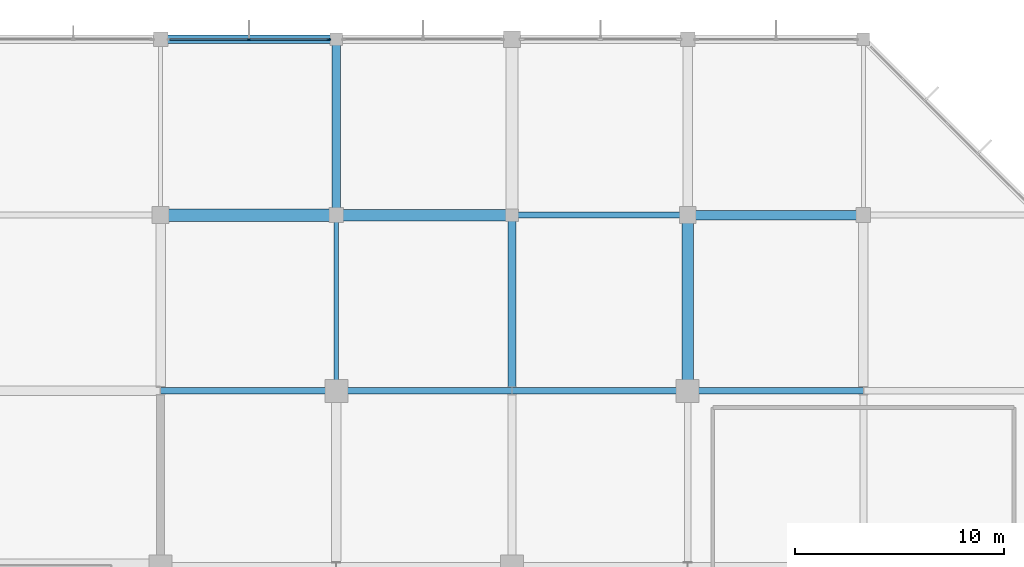
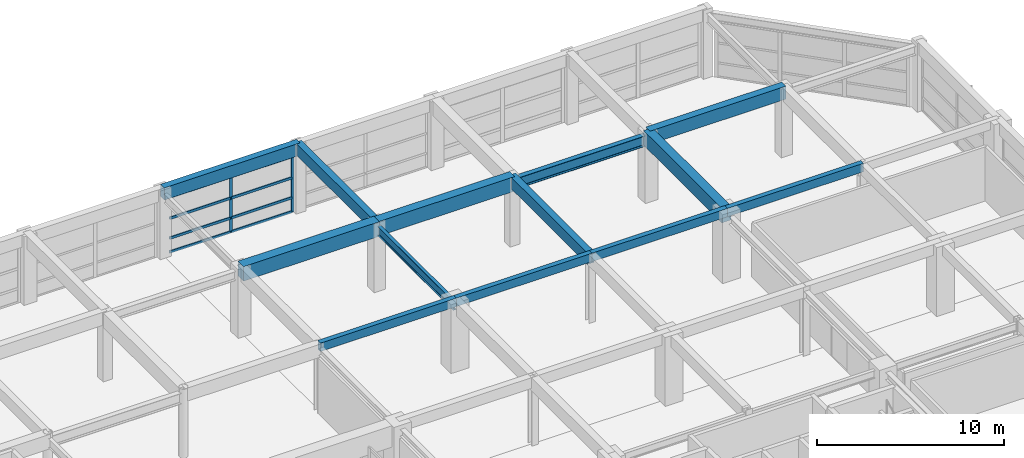
# One storey, part 39 of 62: 13 beams, 10 members, 1 element without a shape of its own.
"""IFC4 building model written with IfcOpenShell, lengths in metres."""

from ifc_helpers import new_model, si_unit, direction, frame, origin, origin_2d, place, context, subcontext, project, spatial, rectangle, i_section, extrude, material, material_profile, profile_set, type_object, element, aggregate, save


model = new_model("IFC4")

# Units and contexts
model_context = context("Model", 3, precision=1e-05, world=origin(), true_north=direction((0.0, 1.0)))
body_context = subcontext(model_context, "Body", "Model", "MODEL_VIEW")
ifc_project = project(units=[si_unit("LENGTHUNIT", "METRE"), si_unit("AREAUNIT", "SQUARE_METRE"), si_unit("VOLUMEUNIT", "CUBIC_METRE"), si_unit("PLANEANGLEUNIT", "RADIAN"), si_unit("MASSUNIT", "GRAM", prefix="KILO")], contexts=[model_context])

# Site, building, storey
site_placement = place(None, origin())
site = spatial("IfcSite", under=ifc_project, at=site_placement, CompositionType="ELEMENT")
building_placement = place(site_placement, origin())
building = spatial("IfcBuilding", under=site, at=building_placement, Name="Xuanlan Plaza Opera House", CompositionType="ELEMENT")
storey_placement = place(building_placement, frame((0.0, 0.0, 14.39990234375)))
storey = spatial("IfcBuildingStorey", under=building, at=storey_placement, Name="L03", CompositionType="ELEMENT", Elevation=14.39990234375)

# Curtain wall, members
ifc_material_1 = material(Name="Anodised Aluminium 6063-T6 and Low-E Glass", Category="aluminium")
curtain_wall_type = type_object("IfcCurtainWallType", Name="ENV-CW-CW-05", PredefinedType="USERDEFINED", material=ifc_material_1)
curtain_wall_placement = place(storey_placement, origin())
curtain_wall = element("IfcCurtainWall", 1, at=curtain_wall_placement, inside=storey, type_object=curtain_wall_type, Name="Acoustic Glazed Wall L03-032", ObjectType="ACOUSTIC GLAZED WALL", PredefinedType="USERDEFINED")
ifc_material_2 = material(Name="Anodised Aluminium 6063-T6", Category="aluminium")
ifc_material_profile_1 = material_profile(ifc_material_2, rectangle(XDim=0.070068359375, YDim=0.179931640625, at=origin_2d()), Name="ALU-M 70x180")
ifc_profile_set_1 = profile_set([ifc_material_profile_1], Name="Anodised Aluminium 6063-T6")
member_type_1 = type_object("IfcMemberType", Name="ENV-CWM-02", PredefinedType="MULLION", material=ifc_profile_set_1)
member_1_placement = place(storey_placement, frame((134.044921875, 100.800048828125, 0.0), z_axis=(0.0, 0.0, 1.0), x_axis=(0.0, -1.0, 0.0)))
member_1 = element("IfcMember", 2, at=member_1_placement, type_object=member_type_1, Name="CW-05 mullion 1", PredefinedType="MULLION", context=body_context, shape_type="SweptSolid", body=[
    extrude(rectangle(XDim=0.070068359375, YDim=0.179931640625, at=origin_2d()), origin(), (0.0, 0.0, 1.0), 3.68017578125),
])
member_2_placement = place(storey_placement, frame((130.22509765625, 100.800048828125, 0.0), z_axis=(0.0, 0.0, 1.0), x_axis=(0.0, -1.0, 0.0)))
member_2 = element("IfcMember", 3, at=member_2_placement, type_object=member_type_1, Name="CW-05 mullion 2", PredefinedType="MULLION", context=body_context, shape_type="SweptSolid", body=[
    extrude(rectangle(XDim=0.070068359375, YDim=0.179931640625, at=origin_2d()), origin(), (0.0, 0.0, 1.0), 3.68017578125),
])
ifc_material_profile_2 = material_profile(ifc_material_2, rectangle(XDim=0.080078125, YDim=0.1650390625, at=origin_2d()), Name="ALU-T 80x165")
ifc_profile_set_2 = profile_set([ifc_material_profile_2], Name="Anodised Aluminium 6063-T6")
member_type_2 = type_object("IfcMemberType", Name="ENV-CWT-04", PredefinedType="USERDEFINED", material=ifc_profile_set_2)
member_3_placement = place(storey_placement, frame((134.010009765625, 100.800048828125, 0.0400390625), z_axis=(-1.0, 0.0, 0.0), x_axis=(0.0, -1.0, 0.0)))
member_3 = element("IfcMember", 4, at=member_3_placement, type_object=member_type_2, Name="CW-05 transom 1.1", ObjectType="TRANSOM", PredefinedType="USERDEFINED", context=body_context, shape_type="SweptSolid", body=[
    extrude(rectangle(XDim=0.080078125, YDim=0.1650390625, at=origin_2d()), origin(), (0.0, 0.0, 1.0), 3.75),
])
member_4_placement = place(storey_placement, frame((134.010009765625, 100.800048828125, 0.9501953125), z_axis=(-1.0, 0.0, 0.0), x_axis=(0.0, -1.0, 0.0)))
member_4 = element("IfcMember", 5, at=member_4_placement, type_object=member_type_2, Name="CW-05 transom 1.2", ObjectType="TRANSOM", PredefinedType="USERDEFINED", context=body_context, shape_type="SweptSolid", body=[
    extrude(rectangle(XDim=0.080078125, YDim=0.1650390625, at=origin_2d()), origin(), (0.0, 0.0, 1.0), 3.75),
])
member_5_placement = place(storey_placement, frame((134.010009765625, 100.800048828125, 2.25), z_axis=(-1.0, 0.0, 0.0), x_axis=(0.0, -1.0, 0.0)))
member_5 = element("IfcMember", 6, at=member_5_placement, type_object=member_type_2, Name="CW-05 transom 1.3", ObjectType="TRANSOM", PredefinedType="USERDEFINED", context=body_context, shape_type="SweptSolid", body=[
    extrude(rectangle(XDim=0.080078125, YDim=0.1650390625, at=origin_2d()), origin(), (0.0, 0.0, 1.0), 3.75),
])
member_6_placement = place(storey_placement, frame((134.010009765625, 100.800048828125, 3.64013671875), z_axis=(-1.0, 0.0, 0.0), x_axis=(0.0, -1.0, 0.0)))
member_6 = element("IfcMember", 7, at=member_6_placement, type_object=member_type_2, Name="CW-05 transom 1.4", ObjectType="TRANSOM", PredefinedType="USERDEFINED", context=body_context, shape_type="SweptSolid", body=[
    extrude(rectangle(XDim=0.080078125, YDim=0.1650390625, at=origin_2d()), origin(), (0.0, 0.0, 1.0), 3.75),
])
member_7_placement = place(storey_placement, frame((130.18994140625, 100.800048828125, 0.0400390625), z_axis=(-1.0, 0.0, 0.0), x_axis=(0.0, -1.0, 0.0)))
member_7 = element("IfcMember", 8, at=member_7_placement, type_object=member_type_2, Name="CW-05 transom 2.1", ObjectType="TRANSOM", PredefinedType="USERDEFINED", context=body_context, shape_type="SweptSolid", body=[
    extrude(rectangle(XDim=0.080078125, YDim=0.1650390625, at=origin_2d()), origin(), (0.0, 0.0, 1.0), 3.75),
])
member_8_placement = place(storey_placement, frame((130.18994140625, 100.800048828125, 0.9501953125), z_axis=(-1.0, 0.0, 0.0), x_axis=(0.0, -1.0, 0.0)))
member_8 = element("IfcMember", 9, at=member_8_placement, type_object=member_type_2, Name="CW-05 transom 2.2", ObjectType="TRANSOM", PredefinedType="USERDEFINED", context=body_context, shape_type="SweptSolid", body=[
    extrude(rectangle(XDim=0.080078125, YDim=0.1650390625, at=origin_2d()), origin(), (0.0, 0.0, 1.0), 3.75),
])
member_9_placement = place(storey_placement, frame((130.18994140625, 100.800048828125, 2.25), z_axis=(-1.0, 0.0, 0.0), x_axis=(0.0, -1.0, 0.0)))
member_9 = element("IfcMember", 10, at=member_9_placement, type_object=member_type_2, Name="CW-05 transom 2.3", ObjectType="TRANSOM", PredefinedType="USERDEFINED", context=body_context, shape_type="SweptSolid", body=[
    extrude(rectangle(XDim=0.080078125, YDim=0.1650390625, at=origin_2d()), origin(), (0.0, 0.0, 1.0), 3.75),
])
member_10_placement = place(storey_placement, frame((130.18994140625, 100.800048828125, 3.64013671875), z_axis=(-1.0, 0.0, 0.0), x_axis=(0.0, -1.0, 0.0)))
member_10 = element("IfcMember", 11, at=member_10_placement, type_object=member_type_2, Name="CW-05 transom 2.4", ObjectType="TRANSOM", PredefinedType="USERDEFINED", context=body_context, shape_type="SweptSolid", body=[
    extrude(rectangle(XDim=0.080078125, YDim=0.1650390625, at=origin_2d()), origin(), (0.0, 0.0, 1.0), 3.75),
])
aggregate(curtain_wall, [member_1, member_2, member_3, member_4, member_5, member_6, member_7, member_8, member_9, member_10])

# Beams
ifc_material_3 = material(Name="Concrete C50", Category="concrete")
ifc_material_profile_3 = material_profile(ifc_material_3, rectangle(XDim=0.60009765625, YDim=0.949951171875, at=origin_2d()), Name="RC-BM 600x950")
ifc_profile_set_3 = profile_set([ifc_material_profile_3], Name="Concrete C50")
beam_type_1 = type_object("IfcBeamType", Name="STR-BM-B-01", PredefinedType="BEAM", material=ifc_profile_set_3)
beam_1_placement = place(storey_placement, frame((126.0, 92.39990234375, 4.025146484375), z_axis=(1.0, 0.0, 0.0), x_axis=(0.0, 1.0, 0.0)))
element("IfcBeam", 12, at=beam_1_placement, inside=storey, type_object=beam_type_1, Name="Grid Beam X L03 16-17/L", PredefinedType="BEAM", context=body_context, shape_type="SweptSolid", body=[
    extrude(rectangle(XDim=0.60009765625, YDim=0.949951171875, at=origin_2d()), origin(), (0.0, 0.0, 1.0), 8.39990234375),
])
ifc_material_profile_4 = material_profile(ifc_material_3, rectangle(XDim=0.550048828125, YDim=0.949951171875, at=origin_2d()), Name="RC-BM 550x950")
ifc_profile_set_4 = profile_set([ifc_material_profile_4], Name="Concrete C50")
beam_type_2 = type_object("IfcBeamType", Name="STR-BM-B-02", PredefinedType="BEAM", material=ifc_profile_set_4)
beam_2_placement = place(storey_placement, frame((134.39990234375, 92.39990234375, 4.025146484375), z_axis=(1.0, 0.0, 0.0), x_axis=(0.0, 1.0, 0.0)))
element("IfcBeam", 13, at=beam_2_placement, inside=storey, type_object=beam_type_2, Name="Grid Beam X L03 17-18/L", PredefinedType="BEAM", context=body_context, shape_type="SweptSolid", body=[
    extrude(rectangle(XDim=0.550048828125, YDim=0.949951171875, at=origin_2d()), origin(), (0.0, 0.0, 1.0), 8.400146484375),
])
beam_3_placement = place(storey_placement, frame((151.199951171875, 84.0, 4.025146484375), z_axis=(0.0, 1.0, 0.0), x_axis=(-1.0, 0.0, 0.0)))
element("IfcBeam", 14, at=beam_3_placement, inside=storey, type_object=beam_type_2, Name="Grid Beam Y L03 19/K-L", PredefinedType="BEAM", context=body_context, shape_type="SweptSolid", body=[
    extrude(rectangle(XDim=0.550048828125, YDim=0.949951171875, at=origin_2d()), origin(), (0.0, 0.0, 1.0), 8.39990234375),
])
ifc_material_4 = material(Name="Concrete C40", Category="concrete")
ifc_material_profile_5 = material_profile(ifc_material_4, rectangle(XDim=0.449951171875, YDim=0.85009765625, at=origin_2d()), Name="RC-BM 450x850")
ifc_profile_set_5 = profile_set([ifc_material_profile_5], Name="Concrete C40")
beam_type_3 = type_object("IfcBeamType", Name="STR-BM-B-04", PredefinedType="BEAM", material=ifc_profile_set_5)
beam_4_placement = place(storey_placement, frame((151.199951171875, 92.39990234375, 4.0751953125), z_axis=(1.0, 0.0, 0.0), x_axis=(0.0, 1.0, 0.0)))
element("IfcBeam", 15, at=beam_4_placement, inside=storey, type_object=beam_type_3, Name="Grid Beam X L03 19-20/L", PredefinedType="BEAM", context=body_context, shape_type="SweptSolid", body=[
    extrude(rectangle(XDim=0.449951171875, YDim=0.85009765625, at=origin_2d()), origin(), (0.0, 0.0, 1.0), 8.400146484375),
])
ifc_material_profile_6 = material_profile(ifc_material_4, rectangle(XDim=0.39990234375, YDim=0.75, at=origin_2d()), Name="RC-BM 400x750")
ifc_profile_set_6 = profile_set([ifc_material_profile_6], Name="Concrete C40")
beam_type_4 = type_object("IfcBeamType", Name="STR-BM-B-06", PredefinedType="BEAM", material=ifc_profile_set_6)
beam_5_placement = place(storey_placement, frame((134.39990234375, 92.39990234375, 4.125), z_axis=(0.0, 1.0, 0.0), x_axis=(-1.0, 0.0, 0.0)))
element("IfcBeam", 16, at=beam_5_placement, inside=storey, type_object=beam_type_4, Name="Grid Beam Y L03 17/L-M", PredefinedType="BEAM", context=body_context, shape_type="SweptSolid", body=[
    extrude(rectangle(XDim=0.39990234375, YDim=0.75, at=origin_2d()), origin(), (0.0, 0.0, 1.0), 8.400146484375),
])
beam_6_placement = place(storey_placement, frame((142.800048828125, 84.0, 4.125), z_axis=(0.0, 1.0, 0.0), x_axis=(-1.0, 0.0, 0.0)))
element("IfcBeam", 17, at=beam_6_placement, inside=storey, type_object=beam_type_4, Name="Grid Beam Y L03 18/K-L", PredefinedType="BEAM", context=body_context, shape_type="SweptSolid", body=[
    extrude(rectangle(XDim=0.39990234375, YDim=0.75, at=origin_2d()), origin(), (0.0, 0.0, 1.0), 8.39990234375),
])
ifc_material_profile_7 = material_profile(ifc_material_4, rectangle(XDim=0.300048828125, YDim=0.550048828125, at=origin_2d()), Name="RC-BM 300x550")
ifc_profile_set_7 = profile_set([ifc_material_profile_7], Name="Concrete C40")
beam_type_5 = type_object("IfcBeamType", Name="STR-BM-B-09", PredefinedType="BEAM", material=ifc_profile_set_7)
beam_7_placement = place(storey_placement, frame((126.0, 84.0, 4.22509765625), z_axis=(1.0, 0.0, 0.0), x_axis=(0.0, 1.0, 0.0)))
element("IfcBeam", 18, at=beam_7_placement, inside=storey, type_object=beam_type_5, Name="Grid Beam X L03 16-17/K", PredefinedType="BEAM", context=body_context, shape_type="SweptSolid", body=[
    extrude(rectangle(XDim=0.300048828125, YDim=0.550048828125, at=origin_2d()), origin(), (0.0, 0.0, 1.0), 8.39990234375),
])
beam_8_placement = place(storey_placement, frame((134.39990234375, 84.0, 4.22509765625), z_axis=(1.0, 0.0, 0.0), x_axis=(0.0, 1.0, 0.0)))
element("IfcBeam", 19, at=beam_8_placement, inside=storey, type_object=beam_type_5, Name="Grid Beam X L03 17-18/K", PredefinedType="BEAM", context=body_context, shape_type="SweptSolid", body=[
    extrude(rectangle(XDim=0.300048828125, YDim=0.550048828125, at=origin_2d()), origin(), (0.0, 0.0, 1.0), 8.400146484375),
])
beam_9_placement = place(storey_placement, frame((142.800048828125, 84.0, 4.22509765625), z_axis=(1.0, 0.0, 0.0), x_axis=(0.0, 1.0, 0.0)))
element("IfcBeam", 20, at=beam_9_placement, inside=storey, type_object=beam_type_5, Name="Grid Beam X L03 18-19/K", PredefinedType="BEAM", context=body_context, shape_type="SweptSolid", body=[
    extrude(rectangle(XDim=0.300048828125, YDim=0.550048828125, at=origin_2d()), origin(), (0.0, 0.0, 1.0), 8.39990234375),
])
beam_10_placement = place(storey_placement, frame((151.199951171875, 84.0, 4.22509765625), z_axis=(1.0, 0.0, 0.0), x_axis=(0.0, 1.0, 0.0)))
element("IfcBeam", 21, at=beam_10_placement, inside=storey, type_object=beam_type_5, Name="Grid Beam X L03 19-20/K", PredefinedType="BEAM", context=body_context, shape_type="SweptSolid", body=[
    extrude(rectangle(XDim=0.300048828125, YDim=0.550048828125, at=origin_2d()), origin(), (0.0, 0.0, 1.0), 8.400146484375),
])
ifc_material_5 = material(Name="Steel Q355B", Category="steel")
ifc_material_profile_8 = material_profile(ifc_material_5, i_section(OverallWidth=0.300048828125, OverallDepth=0.699951171875, WebThickness=0.012939453125, FlangeThickness=0.02392578125, FilletRadius=0.02392578125, at=origin_2d()), Name="HN 700x300x13x24")
ifc_profile_set_8 = profile_set([ifc_material_profile_8], Name="Steel Q355B")
beam_type_6 = type_object("IfcBeamType", Name="STR-BM-SB-03", PredefinedType="BEAM", material=ifc_profile_set_8)
beam_11_placement = place(storey_placement, frame((142.800048828125, 92.39990234375, 3.885009765625), z_axis=(1.0, 0.0, 0.0), x_axis=(0.0, 1.0, 0.0)))
element("IfcBeam", 22, at=beam_11_placement, inside=storey, type_object=beam_type_6, Name="Grid Beam X L03 18-19/L", PredefinedType="BEAM", context=body_context, shape_type="SweptSolid", body=[
    extrude(i_section(OverallWidth=0.300048828125, OverallDepth=0.699951171875, WebThickness=0.012939453125, FlangeThickness=0.02392578125, FilletRadius=0.02392578125, at=origin_2d()), origin(), (0.0, 0.0, 1.0), 8.39990234375),
])
ifc_material_profile_9 = material_profile(ifc_material_5, i_section(OverallWidth=0.199951171875, OverallDepth=0.60009765625, WebThickness=0.010986328125, FlangeThickness=0.01708984375, FilletRadius=0.02197265625, at=origin_2d()), Name="HN 600x200x11x17")
ifc_profile_set_9 = profile_set([ifc_material_profile_9], Name="Steel Q355B")
beam_type_7 = type_object("IfcBeamType", Name="STR-BM-SB-04", PredefinedType="BEAM", material=ifc_profile_set_9)
beam_12_placement = place(storey_placement, frame((134.39990234375, 84.0, 3.93505859375), z_axis=(0.0, 1.0, 0.0), x_axis=(-1.0, 0.0, 0.0)))
element("IfcBeam", 23, at=beam_12_placement, inside=storey, type_object=beam_type_7, Name="Grid Beam Y L03 17/K-L", PredefinedType="BEAM", context=body_context, shape_type="SweptSolid", body=[
    extrude(i_section(OverallWidth=0.199951171875, OverallDepth=0.60009765625, WebThickness=0.010986328125, FlangeThickness=0.01708984375, FilletRadius=0.02197265625, at=origin_2d()), origin(), (0.0, 0.0, 1.0), 8.39990234375),
])
ifc_material_profile_10 = material_profile(ifc_material_4, rectangle(XDim=0.39990234375, YDim=0.800048828125, at=origin_2d()), Name="RC-SPD 400x800")
ifc_profile_set_10 = profile_set([ifc_material_profile_10], Name="Concrete C40")
beam_type_8 = type_object("IfcBeamType", Name="STR-BM-SP-01", PredefinedType="SPANDREL", material=ifc_profile_set_10)
beam_13_placement = place(storey_placement, frame((126.0, 100.800048828125, 4.10009765625), z_axis=(1.0, 0.0, 0.0), x_axis=(0.0, 1.0, 0.0)))
element("IfcBeam", 24, at=beam_13_placement, inside=storey, type_object=beam_type_8, Name="Grid Beam X L03 16-17/M", PredefinedType="SPANDREL", context=body_context, shape_type="SweptSolid", body=[
    extrude(rectangle(XDim=0.39990234375, YDim=0.800048828125, at=origin_2d()), origin(), (0.0, 0.0, 1.0), 8.39990234375),
])

save(model, "model.ifc")
